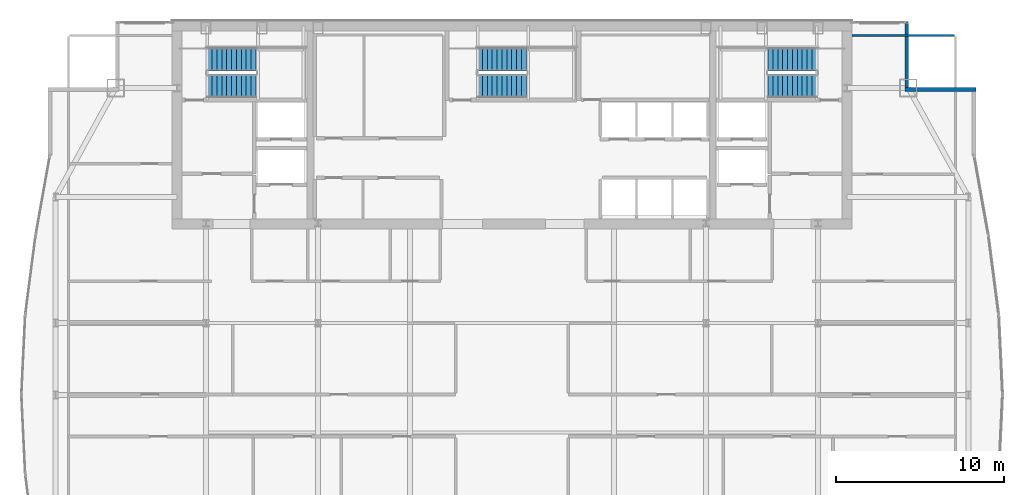
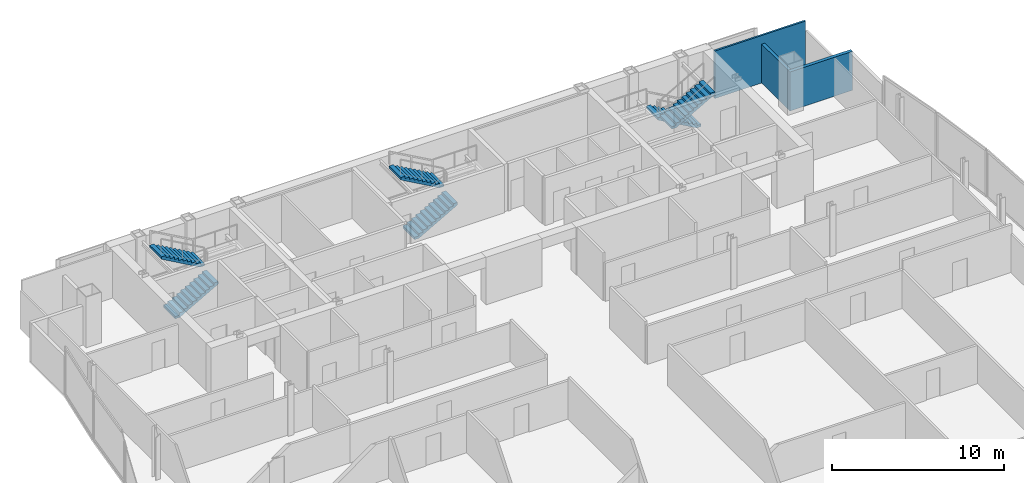
# One storey, part 28 of 30: 6 stair flights, 3 walls, 3 elements without a shape of their own.
"""IFC4 building model written with IfcOpenShell, lengths in metres."""

from ifc_helpers import new_model, si_unit, direction, frame, frame_2d, origin, place, context, subcontext, project, spatial, polyline, rectangle, outline, extrude, material, layer, layer_set, type_object, element, aggregate, save


model = new_model("IFC4")

# Units and contexts
model_context = context("Model", 3, precision=1e-05, world=origin(), true_north=direction((0.0, 1.0)))
body_context = subcontext(model_context, "Body", "Model", "MODEL_VIEW")
ifc_project = project(units=[si_unit("LENGTHUNIT", "METRE"), si_unit("AREAUNIT", "SQUARE_METRE"), si_unit("VOLUMEUNIT", "CUBIC_METRE"), si_unit("PLANEANGLEUNIT", "RADIAN"), si_unit("MASSUNIT", "GRAM", prefix="KILO")], contexts=[model_context])

# Site, building, storey
site_placement = place(None, origin())
site = spatial("IfcSite", under=ifc_project, at=site_placement, CompositionType="ELEMENT")
building_placement = place(site_placement, origin())
building = spatial("IfcBuilding", under=site, at=building_placement, Name="Khoronbel Lancet Exchange", CompositionType="ELEMENT")
storey_placement = place(building_placement, frame((0.0, 0.0, 253.39990234375)))
storey = spatial("IfcBuildingStorey", under=building, at=storey_placement, Name="L65", CompositionType="ELEMENT", Elevation=253.39990234375)

# Walls
ifc_material_1 = material(Name="Precast concrete C40/50", Category="concrete")
ifc_layer_1 = layer(ifc_material_1, 0.25, Name="Precast concrete C40/50")
ifc_layer_set_1 = layer_set([ifc_layer_1], Name="Precast concrete C40/50")
wall_type_1 = type_object("IfcWallType", Name="WL-EXT250", PredefinedType="SOLIDWALL", material=ifc_layer_set_1)
wall_1_placement = place(storey_placement, frame((59.9599609375, 53.6298828125, 0.0), z_axis=(0.0, 0.0, 1.0), x_axis=(0.0, -1.0, 0.0)))
element("IfcWall", 1, at=wall_1_placement, inside=storey, type_object=wall_type_1, Name="Level L65 notched-corner limestone pier 14", PredefinedType="SOLIDWALL", context=body_context, shape_type="SweptSolid", body=[
    extrude(rectangle(XDim=3.909912109375, YDim=0.219970703125, at=frame_2d((1.955078125, 0.0))), origin(), (0.0, 0.0, 1.0), 2.77001953125),
])
wall_2_placement = place(storey_placement, frame((59.85009765625, 49.610107421875, 0.0), z_axis=(0.0, 0.0, 1.0), x_axis=(1.0, 0.0, 0.0)))
element("IfcWall", 2, at=wall_2_placement, inside=storey, type_object=wall_type_1, Name="Level L65 notched-corner limestone pier 15", PredefinedType="SOLIDWALL", context=body_context, shape_type="SweptSolid", body=[
    extrude(rectangle(XDim=4.219970703125, YDim=0.219970703125, at=frame_2d((2.10986328125, 0.0))), origin(), (0.0, 0.0, 1.0), 2.77001953125),
])
ifc_material_2 = material(Name="Acoustic Metal-Stud & Mineral-Wool Gypsum Partition 120 mm", Category="gypsum")
ifc_layer_2 = layer(ifc_material_2, 0.1201171875, Name="Acoustic Metal-Stud & Mineral-Wool Gypsum Partition 120 mm")
ifc_layer_set_2 = layer_set([ifc_layer_2], Name="Acoustic Metal-Stud & Mineral-Wool Gypsum Partition 120 mm")
wall_type_2 = type_object("IfcWallType", Name="WL-PRT120", PredefinedType="PARTITIONING", material=ifc_layer_set_2)
wall_3_placement = place(storey_placement, frame((56.699951171875, 52.840087890625, 0.0), z_axis=(0.0, 0.0, 1.0), x_axis=(1.0, 0.0, 0.0)))
element("IfcWall", 3, at=wall_3_placement, inside=storey, type_object=wall_type_2, Name="Level L65 interior partition PW-LIN-NE", PredefinedType="PARTITIONING", context=body_context, shape_type="SweptSolid", body=[
    extrude(rectangle(XDim=6.10498046875, YDim=0.1201171875, at=frame_2d((3.052490234375, 0.0))), origin(), (0.0, 0.0, 1.0), 3.380126953125),
])

# Stair, stair flights
ifc_material_3 = material(Name="Concrete C40/50", Category="concrete")
stair_type = type_object("IfcStairType", Name="STR-CORE150", PredefinedType="HALF_TURN_STAIR", material=ifc_material_3)
stair_1_placement = place(storey_placement, origin())
stair_1 = element("IfcStair", 4, at=stair_1_placement, inside=storey, type_object=stair_type, Name="L65 Protected Exit Stair ST1", PredefinedType="HALF_TURN_STAIR")
stair_flight_type = type_object("IfcStairFlightType", Name="STF-150", PredefinedType="STRAIGHT", material=ifc_material_3)
stair_flight_1_placement = place(storey_placement, frame((18.300048828125, 49.81005859375, 0.0), z_axis=(0.0, 0.0, 1.0), x_axis=(1.0, 0.0, 0.0)))
stair_flight_1 = element("IfcStairFlight", 5, at=stair_flight_1_placement, type_object=stair_flight_type, Name="ST1 flight 1", NumberOfRisers=11, NumberOfTreads=10, PredefinedType="STRAIGHT", RiserHeight=0.163636364, TreadLength=0.29, context=body_context, shape_type="SweptSolid", body=[
    extrude(outline(polyline([(0.0, 0.0), (0.0, 0.16357421875), (0.2900390625, 0.16357421875), (0.2900390625, 0.327392578125), (0.580078125, 0.327392578125), (0.580078125, 0.490966796875), (0.8701171875, 0.490966796875), (0.8701171875, 0.654541015625), (1.159912109375, 0.654541015625), (1.159912109375, 0.818115234375), (1.449951171875, 0.818115234375), (1.449951171875, 0.98193359375), (1.739990234375, 0.98193359375), (1.739990234375, 1.1455078125), (2.030029296875, 1.1455078125), (2.030029296875, 1.30908203125), (2.320068359375, 1.30908203125), (2.320068359375, 1.47265625), (2.610107421875, 1.47265625), (2.610107421875, 1.636474609375), (2.89990234375, 1.636474609375), (2.89990234375, 1.800048828125), (2.89990234375, 1.46435546875), (0.304931640625, 0.0), (0.0, 0.0)])), frame((0.0, 0.68994140625, 0.0), z_axis=(0.0, -1.0, 0.0), x_axis=(1.0, 0.0, 0.0)), (0.0, 0.0, 1.0), 1.3798828125),
])
stair_flight_2_placement = place(storey_placement, frame((21.199951171875, 51.409912109375, 1.800048828125), z_axis=(0.0, 0.0, 1.0), x_axis=(-1.0, 0.0, 0.0)))
stair_flight_2 = element("IfcStairFlight", 6, at=stair_flight_2_placement, type_object=stair_flight_type, Name="ST1 flight 2", NumberOfRisers=11, NumberOfTreads=10, PredefinedType="STRAIGHT", RiserHeight=0.163636364, TreadLength=0.29, context=body_context, shape_type="SweptSolid", body=[
    extrude(outline(polyline([(0.0, 0.0), (0.0, 0.16357421875), (0.2900390625, 0.16357421875), (0.2900390625, 0.327392578125), (0.580078125, 0.327392578125), (0.580078125, 0.490966796875), (0.8701171875, 0.490966796875), (0.8701171875, 0.654541015625), (1.159912109375, 0.654541015625), (1.159912109375, 0.818115234375), (1.449951171875, 0.818115234375), (1.449951171875, 0.98193359375), (1.739990234375, 0.98193359375), (1.739990234375, 1.1455078125), (2.030029296875, 1.1455078125), (2.030029296875, 1.30908203125), (2.320068359375, 1.30908203125), (2.320068359375, 1.47265625), (2.610107421875, 1.47265625), (2.610107421875, 1.636474609375), (2.89990234375, 1.636474609375), (2.89990234375, 1.800048828125), (2.89990234375, 1.46435546875), (0.304931640625, 0.0), (0.0, 0.0)])), frame((0.0, 0.68994140625, 0.0), z_axis=(0.0, -1.0, 0.0), x_axis=(1.0, 0.0, 0.0)), (0.0, 0.0, 1.0), 1.3798828125),
])
aggregate(stair_1, [stair_flight_1, stair_flight_2])

stair_2_placement = place(storey_placement, origin())
stair_2 = element("IfcStair", 7, at=stair_2_placement, inside=storey, type_object=stair_type, Name="L65 Protected Exit Stair ST2", PredefinedType="HALF_TURN_STAIR")
stair_flight_3_placement = place(storey_placement, frame((54.60009765625, 51.409912109375, 0.0), z_axis=(0.0, 0.0, 1.0), x_axis=(-1.0, 0.0, 0.0)))
stair_flight_3 = element("IfcStairFlight", 8, at=stair_flight_3_placement, type_object=stair_flight_type, Name="ST2 flight 1", NumberOfRisers=11, NumberOfTreads=10, PredefinedType="STRAIGHT", RiserHeight=0.163636364, TreadLength=0.29, context=body_context, shape_type="SweptSolid", body=[
    extrude(outline(polyline([(0.0, 0.0), (0.0, 0.16357421875), (0.2900390625, 0.16357421875), (0.2900390625, 0.327392578125), (0.580078125, 0.327392578125), (0.580078125, 0.490966796875), (0.8701171875, 0.490966796875), (0.8701171875, 0.654541015625), (1.159912109375, 0.654541015625), (1.159912109375, 0.818115234375), (1.449951171875, 0.818115234375), (1.449951171875, 0.98193359375), (1.739990234375, 0.98193359375), (1.739990234375, 1.1455078125), (2.030029296875, 1.1455078125), (2.030029296875, 1.30908203125), (2.320068359375, 1.30908203125), (2.320068359375, 1.47265625), (2.610107421875, 1.47265625), (2.610107421875, 1.636474609375), (2.89990234375, 1.636474609375), (2.89990234375, 1.800048828125), (2.89990234375, 1.46435546875), (0.304931640625, 0.0), (0.0, 0.0)])), frame((0.0, 0.68994140625, 0.0), z_axis=(0.0, -1.0, 0.0), x_axis=(1.0, 0.0, 0.0)), (0.0, 0.0, 1.0), 1.3798828125),
])
stair_flight_4_placement = place(storey_placement, frame((51.699951171875, 49.81005859375, 1.800048828125), z_axis=(0.0, 0.0, 1.0), x_axis=(1.0, 0.0, 0.0)))
stair_flight_4 = element("IfcStairFlight", 9, at=stair_flight_4_placement, type_object=stair_flight_type, Name="ST2 flight 2", NumberOfRisers=11, NumberOfTreads=10, PredefinedType="STRAIGHT", RiserHeight=0.163636364, TreadLength=0.29, context=body_context, shape_type="SweptSolid", body=[
    extrude(outline(polyline([(0.0, 0.0), (0.0, 0.16357421875), (0.2900390625, 0.16357421875), (0.2900390625, 0.327392578125), (0.580078125, 0.327392578125), (0.580078125, 0.490966796875), (0.8701171875, 0.490966796875), (0.8701171875, 0.654541015625), (1.159912109375, 0.654541015625), (1.159912109375, 0.818115234375), (1.449951171875, 0.818115234375), (1.449951171875, 0.98193359375), (1.739990234375, 0.98193359375), (1.739990234375, 1.1455078125), (2.030029296875, 1.1455078125), (2.030029296875, 1.30908203125), (2.320068359375, 1.30908203125), (2.320068359375, 1.47265625), (2.610107421875, 1.47265625), (2.610107421875, 1.636474609375), (2.89990234375, 1.636474609375), (2.89990234375, 1.800048828125), (2.89990234375, 1.46435546875), (0.304931640625, 0.0), (0.0, 0.0)])), frame((0.0, 0.68994140625, 0.0), z_axis=(0.0, -1.0, 0.0), x_axis=(1.0, 0.0, 0.0)), (0.0, 0.0, 1.0), 1.3798828125),
])
aggregate(stair_2, [stair_flight_3, stair_flight_4])

stair_3_placement = place(storey_placement, origin())
stair_3 = element("IfcStair", 10, at=stair_3_placement, inside=storey, type_object=stair_type, Name="L65 Protected Exit Stair ST3", PredefinedType="HALF_TURN_STAIR")
stair_flight_5_placement = place(storey_placement, frame((34.39990234375, 49.81005859375, 0.0), z_axis=(0.0, 0.0, 1.0), x_axis=(1.0, 0.0, 0.0)))
stair_flight_5 = element("IfcStairFlight", 11, at=stair_flight_5_placement, type_object=stair_flight_type, Name="ST3 flight 1", NumberOfRisers=11, NumberOfTreads=10, PredefinedType="STRAIGHT", RiserHeight=0.163636364, TreadLength=0.29, context=body_context, shape_type="SweptSolid", body=[
    extrude(outline(polyline([(0.0, 0.0), (0.0, 0.16357421875), (0.2900390625, 0.16357421875), (0.2900390625, 0.327392578125), (0.580078125, 0.327392578125), (0.580078125, 0.490966796875), (0.8701171875, 0.490966796875), (0.8701171875, 0.654541015625), (1.159912109375, 0.654541015625), (1.159912109375, 0.818115234375), (1.449951171875, 0.818115234375), (1.449951171875, 0.98193359375), (1.739990234375, 0.98193359375), (1.739990234375, 1.1455078125), (2.030029296875, 1.1455078125), (2.030029296875, 1.30908203125), (2.320068359375, 1.30908203125), (2.320068359375, 1.47265625), (2.610107421875, 1.47265625), (2.610107421875, 1.636474609375), (2.89990234375, 1.636474609375), (2.89990234375, 1.800048828125), (2.89990234375, 1.46435546875), (0.304931640625, 0.0), (0.0, 0.0)])), frame((0.0, 0.68994140625, 0.0), z_axis=(0.0, -1.0, 0.0), x_axis=(1.0, 0.0, 0.0)), (0.0, 0.0, 1.0), 1.3798828125),
])
stair_flight_6_placement = place(storey_placement, frame((37.300048828125, 51.409912109375, 1.800048828125), z_axis=(0.0, 0.0, 1.0), x_axis=(-1.0, 0.0, 0.0)))
stair_flight_6 = element("IfcStairFlight", 12, at=stair_flight_6_placement, type_object=stair_flight_type, Name="ST3 flight 2", NumberOfRisers=11, NumberOfTreads=10, PredefinedType="STRAIGHT", RiserHeight=0.163636364, TreadLength=0.29, context=body_context, shape_type="SweptSolid", body=[
    extrude(outline(polyline([(0.0, 0.0), (0.0, 0.16357421875), (0.2900390625, 0.16357421875), (0.2900390625, 0.327392578125), (0.580078125, 0.327392578125), (0.580078125, 0.490966796875), (0.8701171875, 0.490966796875), (0.8701171875, 0.654541015625), (1.159912109375, 0.654541015625), (1.159912109375, 0.818115234375), (1.449951171875, 0.818115234375), (1.449951171875, 0.98193359375), (1.739990234375, 0.98193359375), (1.739990234375, 1.1455078125), (2.030029296875, 1.1455078125), (2.030029296875, 1.30908203125), (2.320068359375, 1.30908203125), (2.320068359375, 1.47265625), (2.610107421875, 1.47265625), (2.610107421875, 1.636474609375), (2.89990234375, 1.636474609375), (2.89990234375, 1.800048828125), (2.89990234375, 1.46435546875), (0.304931640625, 0.0), (0.0, 0.0)])), frame((0.0, 0.68994140625, 0.0), z_axis=(0.0, -1.0, 0.0), x_axis=(1.0, 0.0, 0.0)), (0.0, 0.0, 1.0), 1.3798828125),
])
aggregate(stair_3, [stair_flight_5, stair_flight_6])

save(model, "model.ifc")
